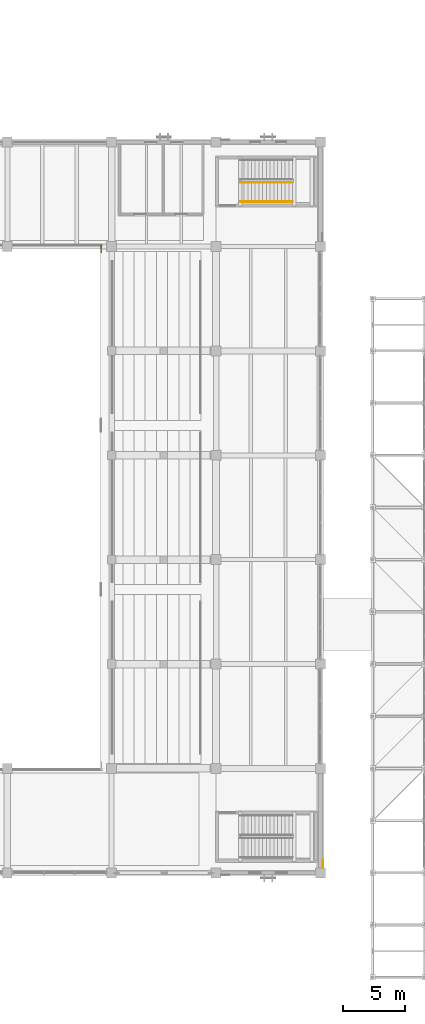
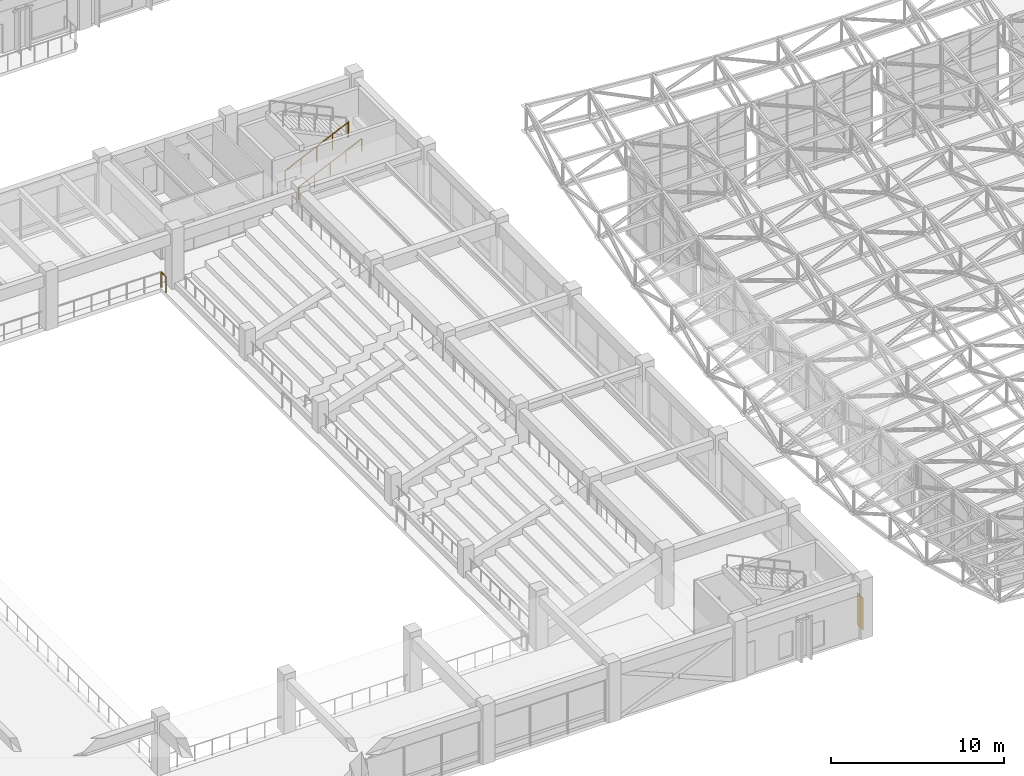
# One storey, part 109 of 132: 3 railings, 1 covering.
"""IFC4 building model written with IfcOpenShell, lengths in metres."""

from ifc_helpers import new_model, si_unit, direction, frame, origin, origin_2d, place, context, subcontext, project, spatial, polyline, circle, outline, extrude, material, layer, layer_set, type_object, element, save


model = new_model("IFC4")

# Units and contexts
model_context = context("Model", 3, precision=1e-05, world=origin(), true_north=direction((0.0, 1.0)))
body_context = subcontext(model_context, "Body", "Model", "MODEL_VIEW")
ifc_project = project(units=[si_unit("LENGTHUNIT", "METRE"), si_unit("AREAUNIT", "SQUARE_METRE"), si_unit("VOLUMEUNIT", "CUBIC_METRE"), si_unit("PLANEANGLEUNIT", "RADIAN"), si_unit("MASSUNIT", "GRAM", prefix="KILO")], contexts=[model_context])

# Site, building, storey
site_placement = place(None, origin())
site = spatial("IfcSite", under=ifc_project, at=site_placement, CompositionType="ELEMENT")
building_placement = place(site_placement, origin())
building = spatial("IfcBuilding", under=site, at=building_placement, Name="Cumbredor Promenade Congress Hotel", CompositionType="ELEMENT")
storey_placement = place(building_placement, frame((0.0, 0.0, 7.56005859375)))
storey = spatial("IfcBuildingStorey", under=building, at=storey_placement, Name="L02", CompositionType="ELEMENT", Elevation=7.56005859375)

# Covering
ifc_material_1 = material(Name="Precast concrete C40/50", Category="concrete")
ifc_layer = layer(ifc_material_1, 0.044921875, Name="Precast concrete C40/50", Category="concrete")
ifc_layer_set = layer_set([ifc_layer], Name="Precast concrete C40/50")
covering_type = type_object("IfcCoveringType", Name="Board-Formed Architectural Cladding Panel 45mm", PredefinedType="CLADDING", material=ifc_layer_set)
covering_placement = place(storey_placement, origin())
element("IfcCovering", 1, at=covering_placement, inside=storey, type_object=covering_type, Name="L02 Facade Stone Cladding Pier 100", PredefinedType="CLADDING", context=body_context, shape_type="SweptSolid", body=[
    extrude(outline(polyline([(67.375, 8.801025390625), (67.375, 9.450927734375), (67.419921875, 9.450927734375), (67.419921875, 8.801025390625), (67.375, 8.801025390625)])), origin(), (0.0, 0.0, 1.0), 2.25),
])

# Railings
ifc_material_2 = material(Name="Brushed stainless steel", Category="steel")
railing_type_1 = type_object("IfcRailingType", Name="Interior Void & Stair Guardrail GR-1100", PredefinedType="GUARDRAIL", material=ifc_material_2)
railing_1_placement = place(storey_placement, frame((60.75, 63.949951171875, 0.139892578125)))
element("IfcRailing", 2, at=railing_1_placement, inside=storey, type_object=railing_type_1, Name="L02 ST-07 stair guard 1", PredefinedType="GUARDRAIL", context=body_context, shape_type="SweptSolid", body=[
    extrude(circle(Radius=0.02392578125, at=origin_2d()), frame((0.0, 0.0, 1.09619140625), z_axis=(0.906184485727, 0.0, 0.422882581609), x_axis=(0.0, 1.0, 0.0)), (0.0, 0.0, 1.0), 4.634765625),
    extrude(circle(Radius=0.02099609375, at=origin_2d()), origin(), (0.0, 0.0, 1.0), 1.072021484375),
    extrude(circle(Radius=0.02099609375, at=origin_2d()), frame((1.050048828125, 0.0, 0.489990234375)), (0.0, 0.0, 1.0), 1.072021484375),
    extrude(circle(Radius=0.02099609375, at=origin_2d()), frame((2.10009765625, 0.0, 0.97998046875)), (0.0, 0.0, 1.0), 1.072021484375),
    extrude(circle(Radius=0.02099609375, at=origin_2d()), frame((3.14990234375, 0.0, 1.469970703125)), (0.0, 0.0, 1.0), 1.072021484375),
    extrude(circle(Radius=0.02099609375, at=origin_2d()), frame((4.199951171875, 0.0, 1.9599609375)), (0.0, 0.0, 1.0), 1.072021484375),
])
railing_2_placement = place(storey_placement, frame((49.550048828125, 58.300048828125, 0.0)))
element("IfcRailing", 3, at=railing_2_placement, inside=storey, type_object=railing_type_1, Name="L02 v1_plenary_bowl Void Perimeter Guardrail 7", PredefinedType="GUARDRAIL", context=body_context, shape_type="SweptSolid", body=[
    extrude(circle(Radius=0.02392578125, at=origin_2d()), frame((0.0, 0.0, 1.09619140625), z_axis=(0.0, 1.0, 0.0), x_axis=(-1.0, 0.0, 0.0)), (0.0, 0.0, 1.0), 0.599853515625),
    extrude(circle(Radius=0.02099609375, at=origin_2d()), origin(), (0.0, 0.0, 1.0), 1.072021484375),
    extrude(circle(Radius=0.02099609375, at=origin_2d()), frame((0.0, 0.599853515625, 0.0)), (0.0, 0.0, 1.0), 1.072021484375),
])
railing_type_2 = type_object("IfcRailingType", Name="Stair Pitch Handrail HR-900", PredefinedType="HANDRAIL", material=ifc_material_2)
railing_3_placement = place(storey_placement, frame((60.75, 62.39990234375, 0.139892578125)))
element("IfcRailing", 4, at=railing_3_placement, inside=storey, type_object=railing_type_2, Name="L02 ST-07 stair handrail 1", PredefinedType="HANDRAIL", context=body_context, shape_type="SweptSolid", body=[
    extrude(circle(Radius=0.02392578125, at=origin_2d()), frame((0.0, 0.0, 0.8759765625), z_axis=(0.906184485727, 0.0, 0.422882581609), x_axis=(0.0, 1.0, 0.0)), (0.0, 0.0, 1.0), 4.634765625),
    extrude(circle(Radius=0.02099609375, at=origin_2d()), origin(), (0.0, 0.0, 1.0), 0.851806640625),
    extrude(circle(Radius=0.02099609375, at=origin_2d()), frame((1.050048828125, 0.0, 0.489990234375)), (0.0, 0.0, 1.0), 0.851806640625),
    extrude(circle(Radius=0.02099609375, at=origin_2d()), frame((2.10009765625, 0.0, 0.97998046875)), (0.0, 0.0, 1.0), 0.851806640625),
    extrude(circle(Radius=0.02099609375, at=origin_2d()), frame((3.14990234375, 0.0, 1.469970703125)), (0.0, 0.0, 1.0), 0.851806640625),
    extrude(circle(Radius=0.02099609375, at=origin_2d()), frame((4.199951171875, 0.0, 1.9599609375)), (0.0, 0.0, 1.0), 0.851806640625),
])

save(model, "model.ifc")
